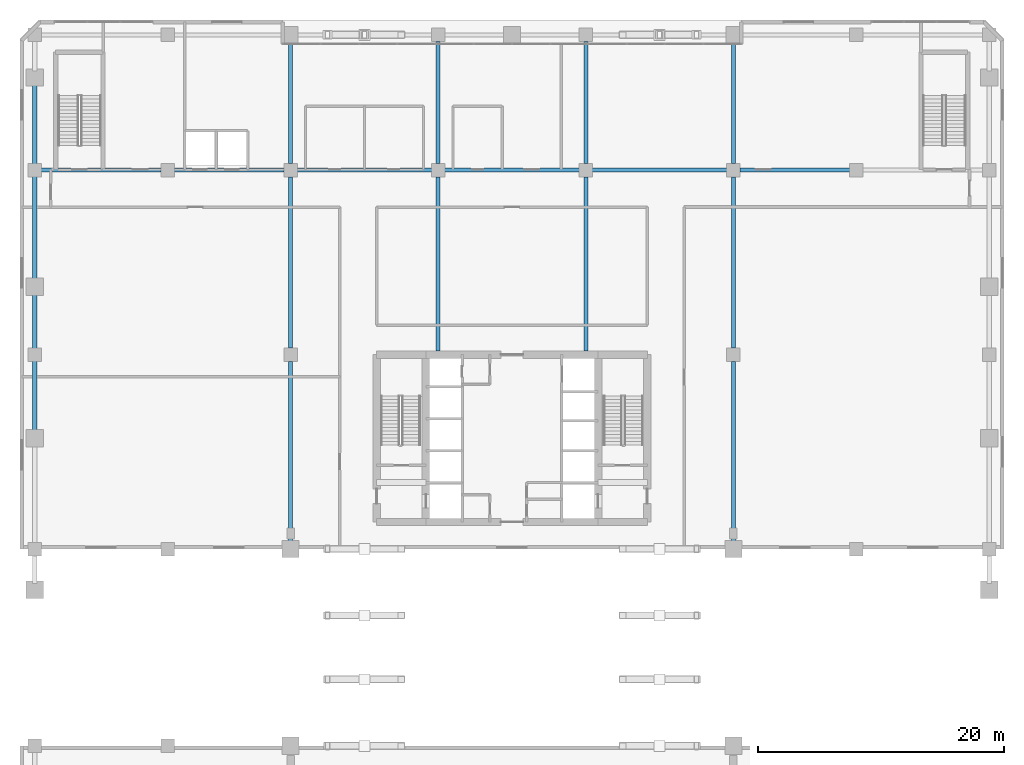
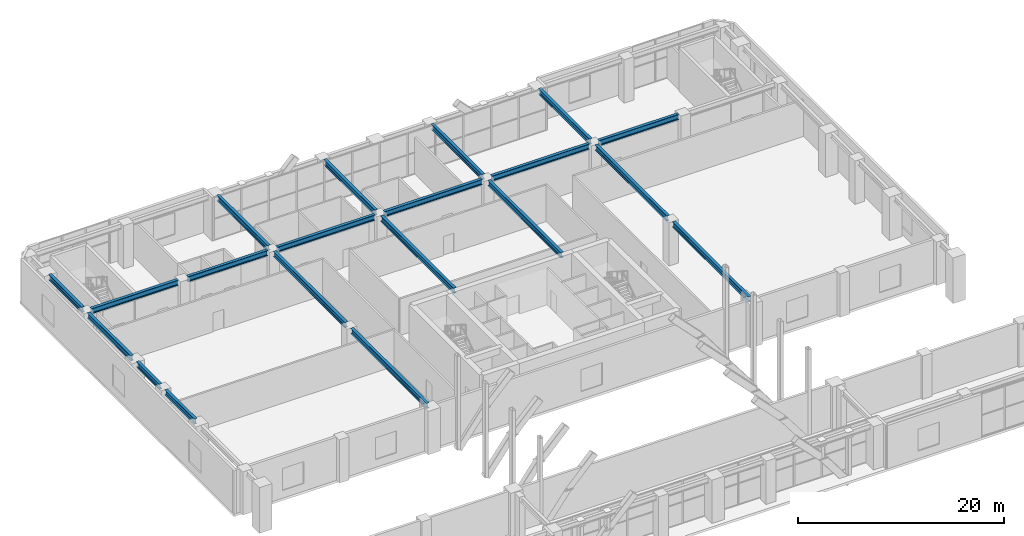
# One storey, part 9 of 28: 20 beams.
"""IFC4 building model written with IfcOpenShell, lengths in metres."""

from ifc_helpers import new_model, si_unit, direction, frame, origin, origin_2d, place, context, subcontext, project, spatial, i_section, extrude, material, material_profile, profile_set, type_object, element, save


model = new_model("IFC4")

# Units and contexts
model_context = context("Model", 3, precision=1e-05, world=origin(), true_north=direction((0.0, 1.0)))
body_context = subcontext(model_context, "Body", "Model", "MODEL_VIEW")
ifc_project = project(units=[si_unit("LENGTHUNIT", "METRE"), si_unit("AREAUNIT", "SQUARE_METRE"), si_unit("VOLUMEUNIT", "CUBIC_METRE"), si_unit("PLANEANGLEUNIT", "RADIAN"), si_unit("MASSUNIT", "GRAM", prefix="KILO")], contexts=[model_context])

# Site, building, storey
site_placement = place(None, origin())
site = spatial("IfcSite", under=ifc_project, at=site_placement, CompositionType="ELEMENT")
building_placement = place(site_placement, origin())
building = spatial("IfcBuilding", under=site, at=building_placement, Name="Sarneth Arch Tower", CompositionType="ELEMENT")
storey_placement = place(building_placement, frame((0.0, 0.0, 6.0)))
storey = spatial("IfcBuildingStorey", under=building, at=storey_placement, Name="L01", CompositionType="ELEMENT", Elevation=6.0)

# Beams
ifc_material = material(Name="Steel S355", Category="steel")
ifc_material_profile = material_profile(ifc_material, i_section(OverallWidth=0.3291015625, OverallDepth=0.635009765625, WebThickness=0.017822265625, FlangeThickness=0.031005859375, FilletRadius=0.01904296875, at=origin_2d()), Name="W610x241")
ifc_profile_set = profile_set([ifc_material_profile], Name="Steel S355")
beam_type = type_object("IfcBeamType", Name="BM-POD-610", PredefinedType="BEAM", material=ifc_profile_set)
beam_1_placement = place(storey_placement, frame((9.719970703125, 63.800048828125, 4.802490234375), z_axis=(1.0, 0.0, 0.0), x_axis=(0.0, 1.0, 0.0)))
element("IfcBeam", 1, at=beam_1_placement, inside=storey, type_object=beam_type, Name="L01 Podium PC girder 1", PredefinedType="BEAM", context=body_context, shape_type="SweptSolid", body=[
    extrude(i_section(OverallWidth=0.3291015625, OverallDepth=0.635009765625, WebThickness=0.017822265625, FlangeThickness=0.031005859375, FilletRadius=0.01904296875, at=origin_2d()), origin(), (0.0, 0.0, 1.0), 9.760009765625),
])
beam_2_placement = place(storey_placement, frame((20.52001953125, 63.800048828125, 4.802490234375), z_axis=(1.0, 0.0, 0.0), x_axis=(0.0, 1.0, 0.0)))
element("IfcBeam", 2, at=beam_2_placement, inside=storey, type_object=beam_type, Name="L01 Podium PC girder 2", PredefinedType="BEAM", context=body_context, shape_type="SweptSolid", body=[
    extrude(i_section(OverallWidth=0.3291015625, OverallDepth=0.635009765625, WebThickness=0.017822265625, FlangeThickness=0.031005859375, FilletRadius=0.01904296875, at=origin_2d()), origin(), (0.0, 0.0, 1.0), 8.9599609375),
])
for number, where, z_axis, x_axis, name in (
    (3, (30.52001953125, 63.800048828125, 4.802490234375), (1.0, 0.0, 0.0), (0.0, 1.0, 0.0), "L01 Podium PC girder 3"),
    (4, (42.52001953125, 63.800048828125, 4.802490234375), (1.0, 0.0, 0.0), (0.0, 1.0, 0.0), "L01 Podium PC girder 4"),
    (5, (54.52001953125, 63.800048828125, 4.802490234375), (1.0, 0.0, 0.0), (0.0, 1.0, 0.0), "L01 Podium PC girder 5"),
):
    element("IfcBeam", number, at=place(storey_placement, frame(where, z_axis=z_axis, x_axis=x_axis)), inside=storey, type_object=beam_type, Name=name, PredefinedType="BEAM", context=body_context, shape_type="SweptSolid", body=[
        extrude(i_section(OverallWidth=0.3291015625, OverallDepth=0.635009765625, WebThickness=0.017822265625, FlangeThickness=0.031005859375, FilletRadius=0.01904296875, at=origin_2d()), origin(), (0.0, 0.0, 1.0), 10.9599609375),
    ])
beam_3_placement = place(storey_placement, frame((66.52001953125, 63.800048828125, 4.802490234375), z_axis=(1.0, 0.0, 0.0), x_axis=(0.0, 1.0, 0.0)))
element("IfcBeam", 6, at=beam_3_placement, inside=storey, type_object=beam_type, Name="L01 Podium PC girder 6", PredefinedType="BEAM", context=body_context, shape_type="SweptSolid", body=[
    extrude(i_section(OverallWidth=0.3291015625, OverallDepth=0.635009765625, WebThickness=0.017822265625, FlangeThickness=0.031005859375, FilletRadius=0.01904296875, at=origin_2d()), origin(), (0.0, 0.0, 1.0), 8.9599609375),
])
beam_4_placement = place(storey_placement, frame((9.199951171875, 42.52001953125, 4.802490234375), z_axis=(0.0, 1.0, 0.0), x_axis=(-1.0, 0.0, 0.0)))
element("IfcBeam", 7, at=beam_4_placement, inside=storey, type_object=beam_type, Name="L01 Podium PW girder 6", PredefinedType="BEAM", context=body_context, shape_type="SweptSolid", body=[
    extrude(i_section(OverallWidth=0.3291015625, OverallDepth=0.635009765625, WebThickness=0.017822265625, FlangeThickness=0.031005859375, FilletRadius=0.01904296875, at=origin_2d()), origin(), (0.0, 0.0, 1.0), 5.760009765625),
])
beam_5_placement = place(storey_placement, frame((9.199951171875, 49.320068359375, 4.802490234375), z_axis=(0.0, 1.0, 0.0), x_axis=(-1.0, 0.0, 0.0)))
element("IfcBeam", 8, at=beam_5_placement, inside=storey, type_object=beam_type, Name="L01 Podium PW girder 7", PredefinedType="BEAM", context=body_context, shape_type="SweptSolid", body=[
    extrude(i_section(OverallWidth=0.3291015625, OverallDepth=0.635009765625, WebThickness=0.017822265625, FlangeThickness=0.031005859375, FilletRadius=0.01904296875, at=origin_2d()), origin(), (0.0, 0.0, 1.0), 4.477783203125),
])
beam_6_placement = place(storey_placement, frame((9.199951171875, 54.837890625, 4.802490234375), z_axis=(0.0, 1.0, 0.0), x_axis=(-1.0, 0.0, 0.0)))
element("IfcBeam", 9, at=beam_6_placement, inside=storey, type_object=beam_type, Name="L01 Podium PW girder 8", PredefinedType="BEAM", context=body_context, shape_type="SweptSolid", body=[
    extrude(i_section(OverallWidth=0.3291015625, OverallDepth=0.635009765625, WebThickness=0.017822265625, FlangeThickness=0.031005859375, FilletRadius=0.01904296875, at=origin_2d()), origin(), (0.0, 0.0, 1.0), 8.442138671875),
])
beam_7_placement = place(storey_placement, frame((9.199951171875, 64.320068359375, 4.802490234375), z_axis=(0.0, 1.0, 0.0), x_axis=(-1.0, 0.0, 0.0)))
element("IfcBeam", 10, at=beam_7_placement, inside=storey, type_object=beam_type, Name="L01 Podium PW girder 9", PredefinedType="BEAM", context=body_context, shape_type="SweptSolid", body=[
    extrude(i_section(OverallWidth=0.3291015625, OverallDepth=0.635009765625, WebThickness=0.017822265625, FlangeThickness=0.031005859375, FilletRadius=0.01904296875, at=origin_2d()), origin(), (0.0, 0.0, 1.0), 6.49658203125),
])
beam_8_placement = place(storey_placement, frame((30.0, 33.550048828125, 4.802490234375), z_axis=(0.0, 1.0, 0.0), x_axis=(-1.0, 0.0, 0.0)))
element("IfcBeam", 11, at=beam_8_placement, inside=storey, type_object=beam_type, Name="L01 Podium N-S girder W30.2", PredefinedType="BEAM", context=body_context, shape_type="SweptSolid", body=[
    extrude(i_section(OverallWidth=0.3291015625, OverallDepth=0.635009765625, WebThickness=0.017822265625, FlangeThickness=0.031005859375, FilletRadius=0.01904296875, at=origin_2d()), origin(), (0.0, 0.0, 1.0), 14.699951171875),
])
beam_9_placement = place(storey_placement, frame((30.0, 49.35009765625, 4.802490234375), z_axis=(0.0, 1.0, 0.0), x_axis=(-1.0, 0.0, 0.0)))
element("IfcBeam", 12, at=beam_9_placement, inside=storey, type_object=beam_type, Name="L01 Podium N-S girder W30.3", PredefinedType="BEAM", context=body_context, shape_type="SweptSolid", body=[
    extrude(i_section(OverallWidth=0.3291015625, OverallDepth=0.635009765625, WebThickness=0.017822265625, FlangeThickness=0.031005859375, FilletRadius=0.01904296875, at=origin_2d()), origin(), (0.0, 0.0, 1.0), 13.89990234375),
])
beam_10_placement = place(storey_placement, frame((30.0, 64.35009765625, 4.802490234375), z_axis=(0.0, 1.0, 0.0), x_axis=(-1.0, 0.0, 0.0)))
element("IfcBeam", 13, at=beam_10_placement, inside=storey, type_object=beam_type, Name="L01 Podium N-S girder W30.4", PredefinedType="BEAM", context=body_context, shape_type="SweptSolid", body=[
    extrude(i_section(OverallWidth=0.3291015625, OverallDepth=0.635009765625, WebThickness=0.017822265625, FlangeThickness=0.031005859375, FilletRadius=0.01904296875, at=origin_2d()), origin(), (0.0, 0.0, 1.0), 9.89990234375),
])
beam_11_placement = place(storey_placement, frame((66.0, 33.550048828125, 4.802490234375), z_axis=(0.0, 1.0, 0.0), x_axis=(-1.0, 0.0, 0.0)))
element("IfcBeam", 14, at=beam_11_placement, inside=storey, type_object=beam_type, Name="L01 Podium N-S girder E66.2", PredefinedType="BEAM", context=body_context, shape_type="SweptSolid", body=[
    extrude(i_section(OverallWidth=0.3291015625, OverallDepth=0.635009765625, WebThickness=0.017822265625, FlangeThickness=0.031005859375, FilletRadius=0.01904296875, at=origin_2d()), origin(), (0.0, 0.0, 1.0), 14.699951171875),
])
beam_12_placement = place(storey_placement, frame((66.0, 49.35009765625, 4.802490234375), z_axis=(0.0, 1.0, 0.0), x_axis=(-1.0, 0.0, 0.0)))
element("IfcBeam", 15, at=beam_12_placement, inside=storey, type_object=beam_type, Name="L01 Podium N-S girder E66.3", PredefinedType="BEAM", context=body_context, shape_type="SweptSolid", body=[
    extrude(i_section(OverallWidth=0.3291015625, OverallDepth=0.635009765625, WebThickness=0.017822265625, FlangeThickness=0.031005859375, FilletRadius=0.01904296875, at=origin_2d()), origin(), (0.0, 0.0, 1.0), 13.89990234375),
])
beam_13_placement = place(storey_placement, frame((66.0, 64.35009765625, 4.802490234375), z_axis=(0.0, 1.0, 0.0), x_axis=(-1.0, 0.0, 0.0)))
element("IfcBeam", 16, at=beam_13_placement, inside=storey, type_object=beam_type, Name="L01 Podium N-S girder E66.4", PredefinedType="BEAM", context=body_context, shape_type="SweptSolid", body=[
    extrude(i_section(OverallWidth=0.3291015625, OverallDepth=0.635009765625, WebThickness=0.017822265625, FlangeThickness=0.031005859375, FilletRadius=0.01904296875, at=origin_2d()), origin(), (0.0, 0.0, 1.0), 9.89990234375),
])
beam_14_placement = place(storey_placement, frame((42.0, 49.10009765625, 4.802490234375), z_axis=(0.0, 1.0, 0.0), x_axis=(-1.0, 0.0, 0.0)))
element("IfcBeam", 17, at=beam_14_placement, inside=storey, type_object=beam_type, Name="L01 Core-north girder C42.1", PredefinedType="BEAM", context=body_context, shape_type="SweptSolid", body=[
    extrude(i_section(OverallWidth=0.3291015625, OverallDepth=0.635009765625, WebThickness=0.017822265625, FlangeThickness=0.031005859375, FilletRadius=0.01904296875, at=origin_2d()), origin(), (0.0, 0.0, 1.0), 14.14990234375),
])
beam_15_placement = place(storey_placement, frame((42.0, 64.35009765625, 4.802490234375), z_axis=(0.0, 1.0, 0.0), x_axis=(-1.0, 0.0, 0.0)))
element("IfcBeam", 18, at=beam_15_placement, inside=storey, type_object=beam_type, Name="L01 North bay girder C42.2", PredefinedType="BEAM", context=body_context, shape_type="SweptSolid", body=[
    extrude(i_section(OverallWidth=0.3291015625, OverallDepth=0.635009765625, WebThickness=0.017822265625, FlangeThickness=0.031005859375, FilletRadius=0.01904296875, at=origin_2d()), origin(), (0.0, 0.0, 1.0), 9.89990234375),
])
beam_16_placement = place(storey_placement, frame((54.0, 49.10009765625, 4.802490234375), z_axis=(0.0, 1.0, 0.0), x_axis=(-1.0, 0.0, 0.0)))
element("IfcBeam", 19, at=beam_16_placement, inside=storey, type_object=beam_type, Name="L01 Core-north girder C54.1", PredefinedType="BEAM", context=body_context, shape_type="SweptSolid", body=[
    extrude(i_section(OverallWidth=0.3291015625, OverallDepth=0.635009765625, WebThickness=0.017822265625, FlangeThickness=0.031005859375, FilletRadius=0.01904296875, at=origin_2d()), origin(), (0.0, 0.0, 1.0), 14.14990234375),
])
beam_17_placement = place(storey_placement, frame((54.0, 64.35009765625, 4.802490234375), z_axis=(0.0, 1.0, 0.0), x_axis=(-1.0, 0.0, 0.0)))
element("IfcBeam", 20, at=beam_17_placement, inside=storey, type_object=beam_type, Name="L01 North bay girder C54.2", PredefinedType="BEAM", context=body_context, shape_type="SweptSolid", body=[
    extrude(i_section(OverallWidth=0.3291015625, OverallDepth=0.635009765625, WebThickness=0.017822265625, FlangeThickness=0.031005859375, FilletRadius=0.01904296875, at=origin_2d()), origin(), (0.0, 0.0, 1.0), 9.89990234375),
])

save(model, "model.ifc")
